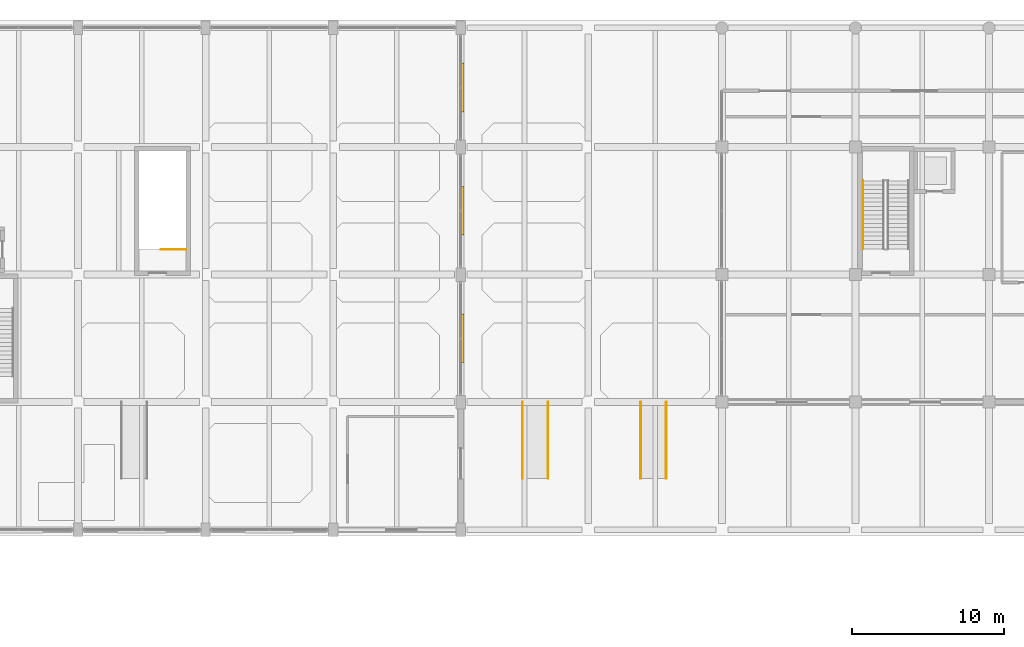
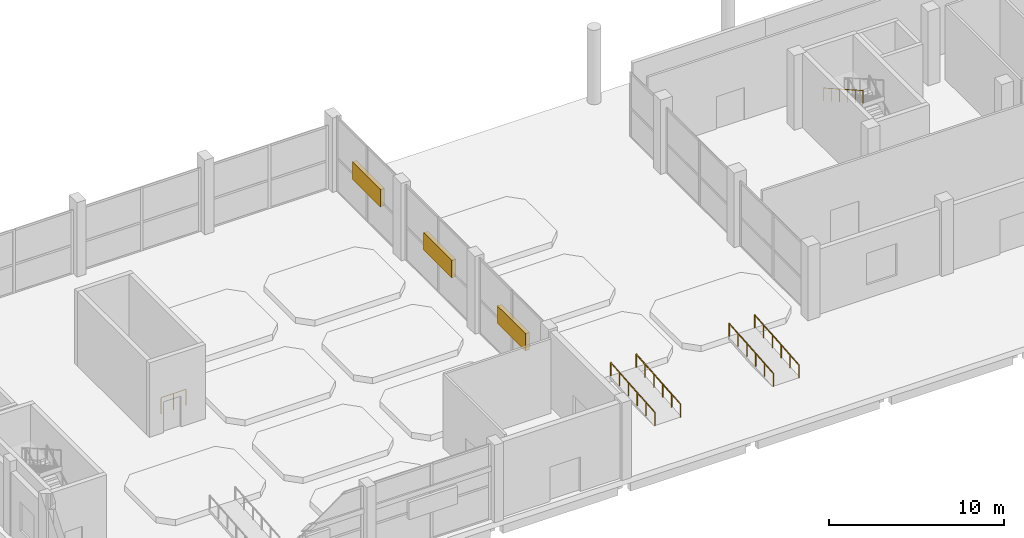
# One storey, part 28 of 34: 6 railings, 3 shading devices.
"""IFC4 building model written with IfcOpenShell, lengths in metres."""

from ifc_helpers import new_model, si_unit, direction, frame, origin, origin_2d, place, context, subcontext, project, spatial, rectangle, circle, extrude, material, type_object, element, save


model = new_model("IFC4")

# Units and contexts
model_context = context("Model", 3, precision=1e-05, world=origin(), true_north=direction((0.0, 1.0)))
body_context = subcontext(model_context, "Body", "Model", "MODEL_VIEW")
ifc_project = project(units=[si_unit("LENGTHUNIT", "METRE"), si_unit("AREAUNIT", "SQUARE_METRE"), si_unit("VOLUMEUNIT", "CUBIC_METRE"), si_unit("PLANEANGLEUNIT", "RADIAN"), si_unit("MASSUNIT", "GRAM", prefix="KILO")], contexts=[model_context])

# Site, building, storey
site_placement = place(None, origin())
site = spatial("IfcSite", under=ifc_project, at=site_placement, CompositionType="ELEMENT")
building_placement = place(site_placement, origin())
building = spatial("IfcBuilding", under=site, at=building_placement, Name="Brinegate Botanical Conservatory", CompositionType="ELEMENT")
storey_placement = place(building_placement, origin())
storey = spatial("IfcBuildingStorey", under=building, at=storey_placement, Name="L01", CompositionType="ELEMENT", Elevation=0.0)

# Railings
ifc_material_1 = material(Name="Structural steel Q355B / S355 painted tubular guardrail", Category="steel")
railing_type_1 = type_object("IfcRailingType", Name="Rail_ST-GRD", PredefinedType="GUARDRAIL", material=ifc_material_1)
railing_1_placement = place(storey_placement, frame((15.5, 96.85009765625, 0.0)))
element("IfcRailing", 1, at=railing_1_placement, inside=storey, type_object=railing_type_1, Name="L01 ST8 top well guard 1", PredefinedType="GUARDRAIL", context=body_context, shape_type="SweptSolid", body=[
    extrude(circle(Radius=0.02392578125, at=origin_2d()), frame((0.0, 0.0, 1.1259765625), z_axis=(-1.0, 0.0, 0.0), x_axis=(0.0, -1.0, 0.0)), (0.0, 0.0, 1.0), 1.64990234375),
    extrude(circle(Radius=0.02099609375, at=origin_2d()), origin(), (0.0, 0.0, 1.0), 1.101806640625),
    extrude(circle(Radius=0.02099609375, at=origin_2d()), frame((-0.824951171875, 0.0, 0.0)), (0.0, 0.0, 1.0), 1.101806640625),
    extrude(circle(Radius=0.02099609375, at=origin_2d()), frame((-1.64990234375, 0.0, 0.0)), (0.0, 0.0, 1.0), 1.101806640625),
])
ifc_material_2 = material(Name="Brushed stainless steel S355 handrail", Category="steel")
railing_type_2 = type_object("IfcRailingType", Name="Rail_ST-HND", PredefinedType="HANDRAIL", material=ifc_material_2)
railing_2_placement = place(storey_placement, frame((60.10009765625, 101.3798828125, 2.85888671875)))
element("IfcRailing", 2, at=railing_2_placement, inside=storey, type_object=railing_type_2, Name="L01 ST3 stair handrail 2", PredefinedType="HANDRAIL", context=body_context, shape_type="SweptSolid", body=[
    extrude(circle(Radius=0.02392578125, at=origin_2d()), frame((0.0, 0.0, 0.8759765625), z_axis=(0.0, -0.869825572089, 0.493359376256), x_axis=(1.0, 0.0, 0.0)), (0.0, 0.0, 1.0), 5.150390625),
    extrude(circle(Radius=0.02099609375, at=origin_2d()), origin(), (0.0, 0.0, 1.0), 0.851806640625),
    extrude(circle(Radius=0.02099609375, at=origin_2d()), frame((0.0, -0.89599609375, 0.50830078125)), (0.0, 0.0, 1.0), 0.851806640625),
    extrude(circle(Radius=0.02099609375, at=origin_2d()), frame((0.0, -1.7919921875, 1.016357421875)), (0.0, 0.0, 1.0), 0.851806640625),
    extrude(circle(Radius=0.02099609375, at=origin_2d()), frame((0.0, -2.68798828125, 1.524658203125)), (0.0, 0.0, 1.0), 0.851806640625),
    extrude(circle(Radius=0.02099609375, at=origin_2d()), frame((0.0, -3.583984375, 2.03271484375)), (0.0, 0.0, 1.0), 0.851806640625),
    extrude(circle(Radius=0.02099609375, at=origin_2d()), frame((0.0, -4.47998046875, 2.541015625)), (0.0, 0.0, 1.0), 0.851806640625),
])
for number, where, name in (
    (3, (37.659912109375, 81.760009765625, 0.0), "Forecourt west flora bed accessible ramp PR-2 left handrail"),
    (4, (39.340087890625, 81.760009765625, 0.0), "Forecourt west flora bed accessible ramp PR-2 right handrail"),
    (5, (45.4599609375, 81.760009765625, 0.0), "Forecourt east flora bed accessible ramp PR-3 left handrail"),
    (6, (47.139892578125, 81.760009765625, 0.0), "Forecourt east flora bed accessible ramp PR-3 right handrail"),
):
    element("IfcRailing", number, at=place(storey_placement, frame(where)), inside=storey, type_object=railing_type_2, Name=name, PredefinedType="HANDRAIL", context=body_context, shape_type="SweptSolid", body=[
        extrude(circle(Radius=0.02392578125, at=origin_2d()), frame((0.0, 0.0, 0.89599609375), z_axis=(0.0, 0.996547089785, 0.083029499827), x_axis=(-1.0, 0.0, 0.0)), (0.0, 0.0, 1.0), 5.0576171875),
        extrude(circle(Radius=0.02099609375, at=origin_2d()), origin(), (0.0, 0.0, 1.0), 0.871826171875),
        extrude(circle(Radius=0.02099609375, at=origin_2d()), frame((0.0, 1.008056640625, 0.083984375)), (0.0, 0.0, 1.0), 0.871826171875),
        extrude(circle(Radius=0.02099609375, at=origin_2d()), frame((0.0, 2.01611328125, 0.16796875)), (0.0, 0.0, 1.0), 0.871826171875),
        extrude(circle(Radius=0.02099609375, at=origin_2d()), frame((0.0, 3.02392578125, 0.251953125)), (0.0, 0.0, 1.0), 0.871826171875),
        extrude(circle(Radius=0.02099609375, at=origin_2d()), frame((0.0, 4.031982421875, 0.3359375)), (0.0, 0.0, 1.0), 0.871826171875),
        extrude(circle(Radius=0.02099609375, at=origin_2d()), frame((0.0, 5.0400390625, 0.419921875)), (0.0, 0.0, 1.0), 0.871826171875),
    ])

# Shading devices
ifc_material_3 = material(Name="Anodised aluminium AW-6063-T6 storm louvres", Category="aluminium")
shading_device_type = type_object("IfcShadingDeviceType", Name="Shade_SLV-01", PredefinedType="JALOUSIE", material=ifc_material_3)
for number, where, z_axis, x_axis, name in (
    (7, (33.679931640625, 91.0, 2.0), (0.0, 0.0, 1.0), (1.0, 0.0, 0.0), "Conservatory east storm louvre L01.2"),
    (8, (33.679931640625, 99.39990234375, 2.0), (0.0, 0.0, 1.0), (1.0, 0.0, 0.0), "Conservatory east storm louvre L01.3"),
    (9, (33.679931640625, 107.52490234375, 2.0), (0.0, 0.0, 1.0), (1.0, 0.0, 0.0), "Conservatory east storm louvre L01.4"),
):
    element("IfcShadingDevice", number, at=place(storey_placement, frame(where, z_axis=z_axis, x_axis=x_axis)), inside=storey, type_object=shading_device_type, Name=name, PredefinedType="JALOUSIE", context=body_context, shape_type="SweptSolid", body=[
        extrude(rectangle(XDim=0.280029296875, YDim=3.199951171875, at=origin_2d()), origin(), (0.0, 0.0, 1.0), 1.199951171875),
    ])

save(model, "model.ifc")
